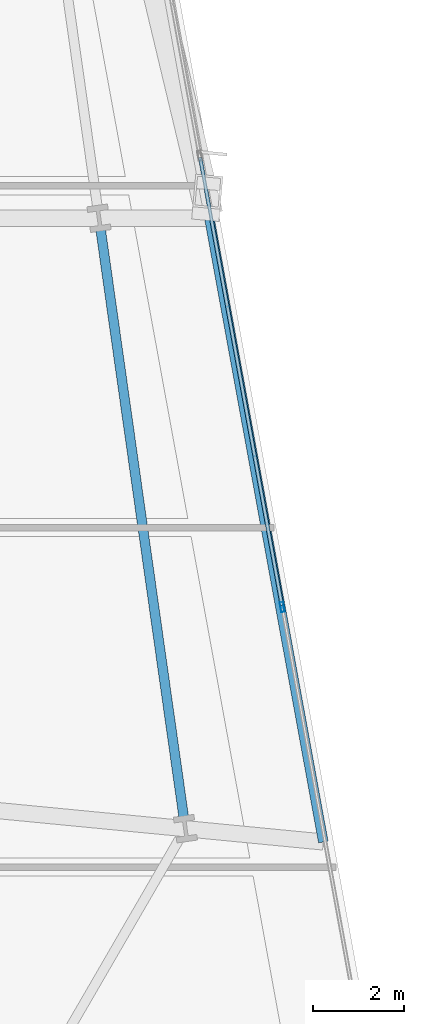
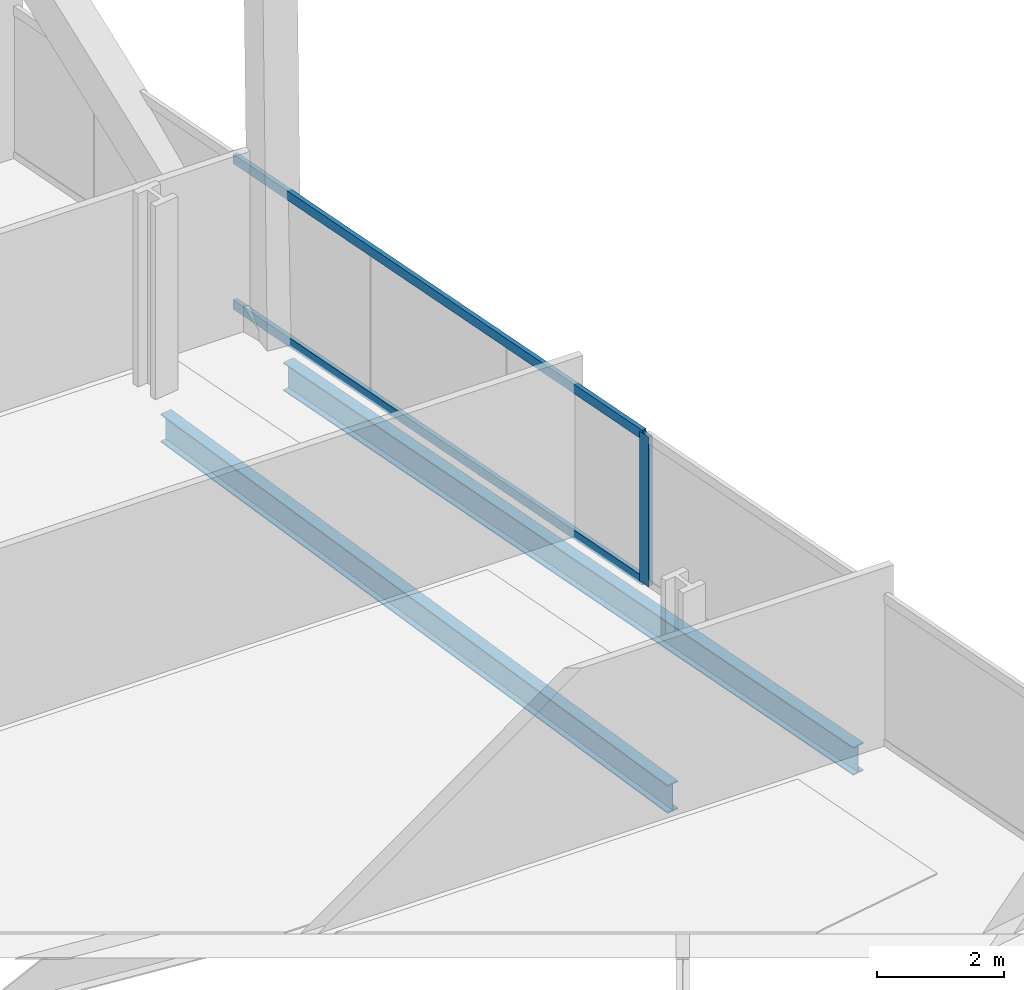
# One storey, part 13 of 34: 3 members, 2 beams, 1 element without a shape of its own.
"""IFC4 building model written with IfcOpenShell, lengths in metres."""

from ifc_helpers import new_model, si_unit, direction, frame, origin, origin_2d, place, context, subcontext, project, spatial, hollow_rectangle, i_section, extrude, material, material_profile, profile_set, type_object, element, aggregate, save


model = new_model("IFC4")

# Units and contexts
model_context = context("Model", 3, precision=1e-05, world=origin(), true_north=direction((0.0, 1.0)))
body_context = subcontext(model_context, "Body", "Model", "MODEL_VIEW")
ifc_project = project(units=[si_unit("LENGTHUNIT", "METRE"), si_unit("AREAUNIT", "SQUARE_METRE"), si_unit("VOLUMEUNIT", "CUBIC_METRE"), si_unit("PLANEANGLEUNIT", "RADIAN"), si_unit("MASSUNIT", "GRAM", prefix="KILO")], contexts=[model_context])

# Site, building, storey
site_placement = place(None, origin())
site = spatial("IfcSite", under=ifc_project, at=site_placement, CompositionType="ELEMENT")
building_placement = place(site_placement, origin())
building = spatial("IfcBuilding", under=site, at=building_placement, Name="Haldenkirk Collegiate Tower", CompositionType="ELEMENT")
storey_placement = place(building_placement, frame((0.0, 0.0, 62.699951171875)))
storey = spatial("IfcBuildingStorey", under=building, at=storey_placement, Name="L14", CompositionType="ELEMENT", Elevation=62.699951171875)

# Beams
ifc_material_1 = material(Name="Steel ASTM A992 Grade 50", Category="steel")
ifc_material_profile_1 = material_profile(ifc_material_1, i_section(OverallWidth=0.2119140625, OverallDepth=0.5439453125, WebThickness=0.01318359375, FlangeThickness=0.021240234375, at=origin_2d()), Name="W21X83")
ifc_profile_set_1 = profile_set([ifc_material_profile_1], Name="Steel ASTM A992 Grade 50")
beam_type = type_object("IfcBeamType", Name="BM-SPANDREL-W21X83", PredefinedType="SPANDREL", material=ifc_profile_set_1)
beam_1_placement = place(storey_placement, frame((61.611083984375, 16.65478515625, -0.58203125), z_axis=(-0.140040904101, 0.990145719164, 0.0), x_axis=(-0.990145719164, -0.140040904101, 0.0)))
element("IfcBeam", 1, at=beam_1_placement, inside=storey, type_object=beam_type, Name="L14 perimeter spandrel beam 06", PredefinedType="SPANDREL", context=body_context, shape_type="SweptSolid", body=[
    extrude(i_section(OverallWidth=0.2119140625, OverallDepth=0.5439453125, WebThickness=0.01318359375, FlangeThickness=0.021240234375, at=origin_2d()), origin(), (0.0, 0.0, 1.0), 13.000244140625),
])
beam_2_placement = place(storey_placement, frame((64.675048828125, 16.100830078125, -0.58203125), z_axis=(-0.179652772562, 0.983730085598, 0.0), x_axis=(-0.983730085598, -0.179652772562, 0.0)))
element("IfcBeam", 2, at=beam_2_placement, inside=storey, type_object=beam_type, Name="L14 outer facade edge beam 2A", PredefinedType="SPANDREL", context=body_context, shape_type="SweptSolid", body=[
    extrude(i_section(OverallWidth=0.2119140625, OverallDepth=0.5439453125, WebThickness=0.01318359375, FlangeThickness=0.021240234375, at=origin_2d()), origin(), (0.0, 0.0, 1.0), 13.914306640625),
])

# Curtain wall, members
ifc_material_2 = material(Name="Anodised architectural bronze aluminium", Category="aluminium")
curtain_wall_type = type_object("IfcCurtainWallType", Name="CW-SYS1-CONVEX-LOW", PredefinedType="USERDEFINED", material=ifc_material_2)
curtain_wall_placement = place(storey_placement, origin())
curtain_wall = element("IfcCurtainWall", 3, at=curtain_wall_placement, inside=storey, type_object=curtain_wall_type, Name="L14 Lower tower convex bronze-framed unitised curtain wall", ObjectType="UNITISED CURTAIN WALL", PredefinedType="USERDEFINED")
ifc_material_profile_2 = material_profile(ifc_material_2, hollow_rectangle(XDim=0.080078125, YDim=0.219970703125, WallThickness=0.0048828125, at=origin_2d()), Name="CW-MUL-1A")
ifc_profile_set_2 = profile_set([ifc_material_profile_2], Name="Anodised architectural bronze aluminium")
member_type_1 = type_object("IfcMemberType", Name="CW-MUL-1A", PredefinedType="MULLION", material=ifc_profile_set_2)
member_1_placement = place(storey_placement, frame((63.774169921875, 21.256591796875, 0.0), z_axis=(0.0, 0.0, 1.0), x_axis=(0.983728214276, 0.179663019113, 0.0)))
member_1 = element("IfcMember", 4, at=member_1_placement, type_object=member_type_1, Name="CW-1A mullion 4", PredefinedType="MULLION", context=body_context, shape_type="SweptSolid", body=[
    extrude(hollow_rectangle(XDim=0.080078125, YDim=0.219970703125, WallThickness=0.0048828125, at=origin_2d()), origin(), (0.0, 0.0, 1.0), 2.89111328125),
])
ifc_material_profile_3 = material_profile(ifc_material_2, hollow_rectangle(XDim=0.080078125, YDim=0.179931640625, WallThickness=0.0048828125, at=origin_2d()), Name="CW-TRN-1A")
ifc_profile_set_3 = profile_set([ifc_material_profile_3], Name="Anodised architectural bronze aluminium")
member_type_2 = type_object("IfcMemberType", Name="CW-TRN-1A", PredefinedType="USERDEFINED", material=ifc_profile_set_3)
member_2_placement = place(storey_placement, frame((61.972412109375, 31.1220703125, 0.0400390625), z_axis=(0.179646793736, -0.983731177457, 0.0), x_axis=(0.983731177457, 0.179646793736, 0.0)))
member_2 = element("IfcMember", 5, at=member_2_placement, type_object=member_type_2, Name="CW-1A transom 3.1", ObjectType="TRANSOM", PredefinedType="USERDEFINED", context=body_context, shape_type="SweptSolid", body=[
    extrude(hollow_rectangle(XDim=0.080078125, YDim=0.179931640625, WallThickness=0.0048828125, at=origin_2d()), origin(), (0.0, 0.0, 1.0), 9.98876953125),
])
member_3_placement = place(storey_placement, frame((61.972412109375, 31.1220703125, 2.85107421875), z_axis=(0.179646793736, -0.983731177457, 0.0), x_axis=(0.983731177457, 0.179646793736, 0.0)))
member_3 = element("IfcMember", 6, at=member_3_placement, type_object=member_type_2, Name="CW-1A transom 3.2", ObjectType="TRANSOM", PredefinedType="USERDEFINED", context=body_context, shape_type="SweptSolid", body=[
    extrude(hollow_rectangle(XDim=0.080078125, YDim=0.179931640625, WallThickness=0.0048828125, at=origin_2d()), origin(), (0.0, 0.0, 1.0), 9.98876953125),
])
aggregate(curtain_wall, [member_1, member_2, member_3])

save(model, "model.ifc")
